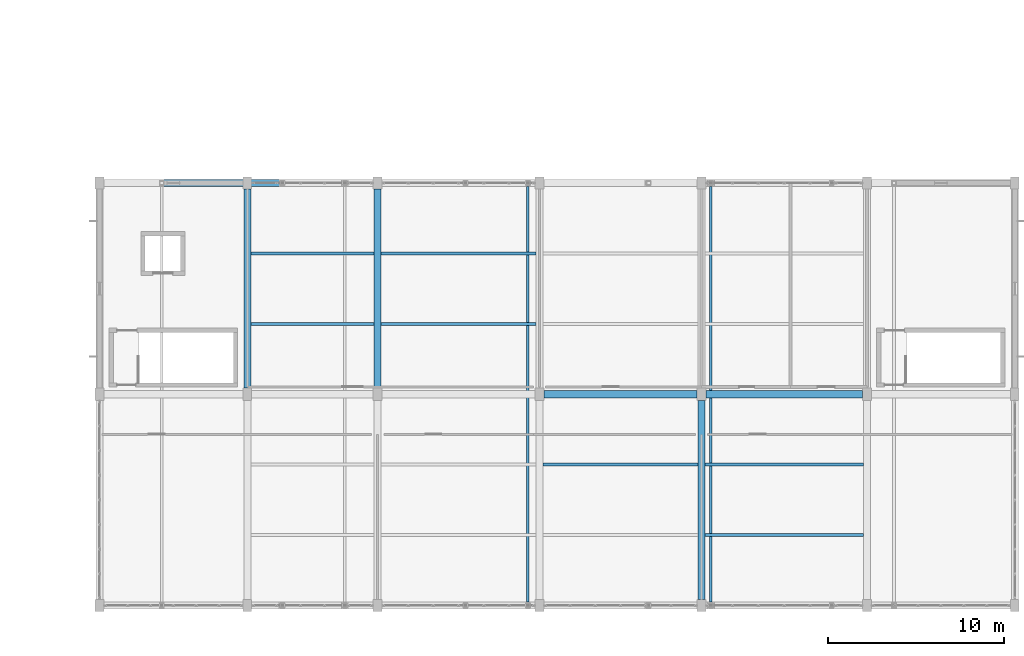
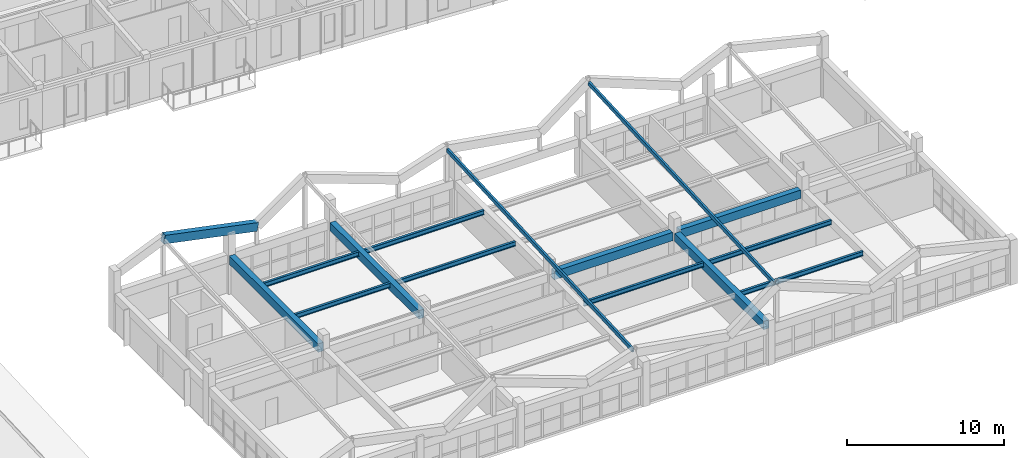
# One storey, part 21 of 127: 13 beams, 2 members.
"""IFC4 building model written with IfcOpenShell, lengths in metres."""

from ifc_helpers import new_model, si_unit, direction, frame, origin, origin_2d, place, context, subcontext, project, spatial, rectangle, hollow_rectangle, i_section, extrude, material, material_profile, profile_set, type_object, element, save


model = new_model("IFC4")

# Units and contexts
model_context = context("Model", 3, precision=1e-05, world=origin(), true_north=direction((0.0, 1.0)))
body_context = subcontext(model_context, "Body", "Model", "MODEL_VIEW")
ifc_project = project(units=[si_unit("LENGTHUNIT", "METRE"), si_unit("AREAUNIT", "SQUARE_METRE"), si_unit("VOLUMEUNIT", "CUBIC_METRE"), si_unit("PLANEANGLEUNIT", "RADIAN"), si_unit("MASSUNIT", "GRAM", prefix="KILO")], contexts=[model_context])

# Site, building, storey
site_placement = place(None, origin())
site = spatial("IfcSite", under=ifc_project, at=site_placement, CompositionType="ELEMENT")
building_placement = place(site_placement, origin())
building = spatial("IfcBuilding", under=site, at=building_placement, Name="Kestramere Prow Commons", CompositionType="ELEMENT")
storey_placement = place(building_placement, frame((0.0, 0.0, 8.39990234375)))
storey = spatial("IfcBuildingStorey", under=building, at=storey_placement, Name="L02", CompositionType="ELEMENT", Elevation=8.39990234375)

# Beams
ifc_material_1 = material(Name="Precast concrete C40/50", Category="concrete")
ifc_material_profile_1 = material_profile(ifc_material_1, rectangle(XDim=0.39990234375, YDim=0.64990234375, at=origin_2d()), Name="PC-BM 400x650")
ifc_profile_set_1 = profile_set([ifc_material_profile_1], Name="Precast concrete C40/50")
beam_type_1 = type_object("IfcBeamType", Name="BM-MK-01 PC-BM 400x650", PredefinedType="BEAM", material=ifc_profile_set_1)
beam_1_placement = place(storey_placement, frame((85.25, 12.0, 2.675048828125), z_axis=(1.0, 0.0, 0.0), x_axis=(0.0, 1.0, 0.0)))
element("IfcBeam", 1, at=beam_1_placement, inside=storey, type_object=beam_type_1, Name="Market Spine L02 Beam X 2-4", PredefinedType="BEAM", context=body_context, shape_type="SweptSolid", body=[
    extrude(rectangle(XDim=0.39990234375, YDim=0.64990234375, at=origin_2d()), origin(), (0.0, 0.0, 1.0), 8.699951171875),
])
beam_2_placement = place(storey_placement, frame((94.449951171875, 12.0, 2.675048828125), z_axis=(1.0, 0.0, 0.0), x_axis=(0.0, 1.0, 0.0)))
element("IfcBeam", 2, at=beam_2_placement, inside=storey, type_object=beam_type_1, Name="Market Spine L02 Beam X 2-5", PredefinedType="BEAM", context=body_context, shape_type="SweptSolid", body=[
    extrude(rectangle(XDim=0.39990234375, YDim=0.64990234375, at=origin_2d()), origin(), (0.0, 0.0, 1.0), 8.900146484375),
])
for number, where, z_axis, x_axis, name in (
    (3, (68.39990234375, 12.35009765625, 2.675048828125), (0.0, 1.0, 0.0), (-1.0, 0.0, 0.0), "Market Spine L02 Beam Y 2-2"),
    (4, (75.800048828125, 12.35009765625, 2.675048828125), (0.0, 1.0, 0.0), (-1.0, 0.0, 0.0), "Market Spine L02 Beam Y 3-2"),
    (5, (94.199951171875, 0.35009765625, 2.675048828125), (0.0, 1.0, 0.0), (-1.0, 0.0, 0.0), "Market Spine L02 Beam Y 5-1"),
):
    element("IfcBeam", number, at=place(storey_placement, frame(where, z_axis=z_axis, x_axis=x_axis)), inside=storey, type_object=beam_type_1, Name=name, PredefinedType="BEAM", context=body_context, shape_type="SweptSolid", body=[
        extrude(rectangle(XDim=0.39990234375, YDim=0.64990234375, at=origin_2d()), origin(), (0.0, 0.0, 1.0), 11.2998046875),
    ])
ifc_material_profile_2 = material_profile(ifc_material_1, rectangle(XDim=0.39990234375, YDim=0.64990234375, at=origin_2d()), Name="PC-BM 400x650")
ifc_profile_set_2 = profile_set([ifc_material_profile_2], Name="Precast concrete C40/50")
beam_type_2 = type_object("IfcBeamType", Name="BM-MK-01 PC-BM 400x650 (EX)", PredefinedType="BEAM", material=ifc_profile_set_2)
beam_3_placement = place(storey_placement, frame((63.535888671875, 24.0, 5.795166015625), z_axis=(0.97982286621, 0.0, -0.19986783346), x_axis=(0.0, 1.0, 0.0)))
element("IfcBeam", 6, at=beam_3_placement, inside=storey, type_object=beam_type_2, Name="Market Folded Rafter 1R-24", PredefinedType="BEAM", context=body_context, shape_type="SweptSolid", body=[
    extrude(rectangle(XDim=0.39990234375, YDim=0.64990234375, at=origin_2d()), origin(), (0.0, 0.0, 1.0), 7.00537109375),
])
ifc_material_2 = material(Name="Steel S355JR", Category="steel")
ifc_material_profile_3 = material_profile(ifc_material_2, i_section(OverallWidth=0.17138671875, OverallDepth=0.35498046875, WebThickness=0.00732421875, FlangeThickness=0.011474609375, FilletRadius=0.01025390625, at=origin_2d()), Name="UB 356x171x51")
ifc_profile_set_3 = profile_set([ifc_material_profile_3], Name="Steel S355JR")
beam_type_3 = type_object("IfcBeamType", Name="JST-MK-01 UB 356x171x51", PredefinedType="JOIST", material=ifc_profile_set_3)
for number, where, z_axis, x_axis, name in (
    (7, (68.60009765625, 16.0, 2.822509765625), (1.0, 0.0, 0.0), (0.0, 1.0, 0.0), "Market Spine L02 Secondary Joist 2-16"),
    (8, (68.60009765625, 20.0, 2.822509765625), (1.0, 0.0, 0.0), (0.0, 1.0, 0.0), "Market Spine L02 Secondary Joist 2-20"),
):
    element("IfcBeam", number, at=place(storey_placement, frame(where, z_axis=z_axis, x_axis=x_axis)), inside=storey, type_object=beam_type_3, Name=name, PredefinedType="JOIST", context=body_context, shape_type="SweptSolid", body=[
        extrude(i_section(OverallWidth=0.17138671875, OverallDepth=0.35498046875, WebThickness=0.00732421875, FlangeThickness=0.011474609375, FilletRadius=0.01025390625, at=origin_2d()), origin(), (0.0, 0.0, 1.0), 7.0),
    ])
for number, where, z_axis, x_axis, name in (
    (9, (76.0, 16.0, 2.822509765625), (1.0, 0.0, 0.0), (0.0, 1.0, 0.0), "Market Spine L02 Secondary Joist 3-16"),
    (10, (76.0, 20.0, 2.822509765625), (1.0, 0.0, 0.0), (0.0, 1.0, 0.0), "Market Spine L02 Secondary Joist 3-20"),
    (11, (85.199951171875, 8.0, 2.822509765625), (1.0, 0.0, 0.0), (0.0, 1.0, 0.0), "Market Spine L02 Secondary Joist 4-8"),
):
    element("IfcBeam", number, at=place(storey_placement, frame(where, z_axis=z_axis, x_axis=x_axis)), inside=storey, type_object=beam_type_3, Name=name, PredefinedType="JOIST", context=body_context, shape_type="SweptSolid", body=[
        extrude(i_section(OverallWidth=0.17138671875, OverallDepth=0.35498046875, WebThickness=0.00732421875, FlangeThickness=0.011474609375, FilletRadius=0.01025390625, at=origin_2d()), origin(), (0.0, 0.0, 1.0), 8.800048828125),
    ])
for number, where, z_axis, x_axis, name in (
    (12, (94.39990234375, 4.0, 2.822509765625), (1.0, 0.0, 0.0), (0.0, 1.0, 0.0), "Market Spine L02 Secondary Joist 5-4"),
    (13, (94.39990234375, 8.0, 2.822509765625), (1.0, 0.0, 0.0), (0.0, 1.0, 0.0), "Market Spine L02 Secondary Joist 5-8"),
):
    element("IfcBeam", number, at=place(storey_placement, frame(where, z_axis=z_axis, x_axis=x_axis)), inside=storey, type_object=beam_type_3, Name=name, PredefinedType="JOIST", context=body_context, shape_type="SweptSolid", body=[
        extrude(i_section(OverallWidth=0.17138671875, OverallDepth=0.35498046875, WebThickness=0.00732421875, FlangeThickness=0.011474609375, FilletRadius=0.01025390625, at=origin_2d()), origin(), (0.0, 0.0, 1.0), 9.0),
    ])

# Members
ifc_material_profile_4 = material_profile(ifc_material_2, hollow_rectangle(XDim=0.14990234375, YDim=0.300048828125, WallThickness=0.012451171875, at=origin_2d()), Name="RHS 300x150x12.5")
ifc_profile_set_4 = profile_set([ifc_material_profile_4], Name="Steel S355JR")
member_type = type_object("IfcMemberType", Name="PUR-MK-01 RHS 300x150x12.5", PredefinedType="PURLIN", material=ifc_profile_set_4)
for number, where, z_axis, x_axis, name in (
    (14, (84.3359375, 0.199951171875, 4.24560546875), (0.0, 0.998646785341, 0.052005750909), (-1.0, 0.0, 0.0), "Market Folded-Roof Ridge Purlin 3"),
    (15, (94.736083984375, 0.199951171875, 5.79541015625), (0.0, 0.998646248749, 0.05201605386), (-1.0, 0.0, 0.0), "Market Folded-Roof Ridge Purlin 4"),
):
    element("IfcMember", number, at=place(storey_placement, frame(where, z_axis=z_axis, x_axis=x_axis)), inside=storey, type_object=member_type, Name=name, PredefinedType="PURLIN", context=body_context, shape_type="SweptSolid", body=[
        extrude(hollow_rectangle(XDim=0.14990234375, YDim=0.300048828125, WallThickness=0.012451171875, at=origin_2d()), origin(), (0.0, 0.0, 1.0), 23.632080078125),
    ])

save(model, "model.ifc")
